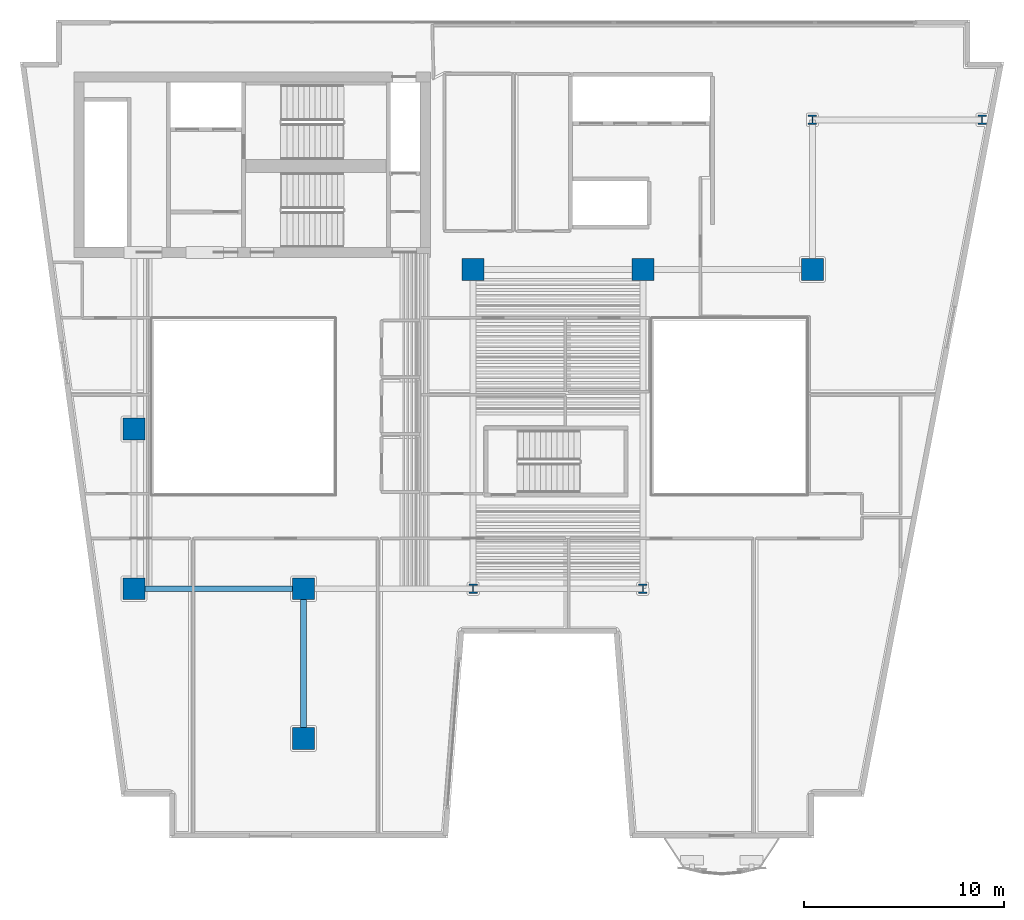
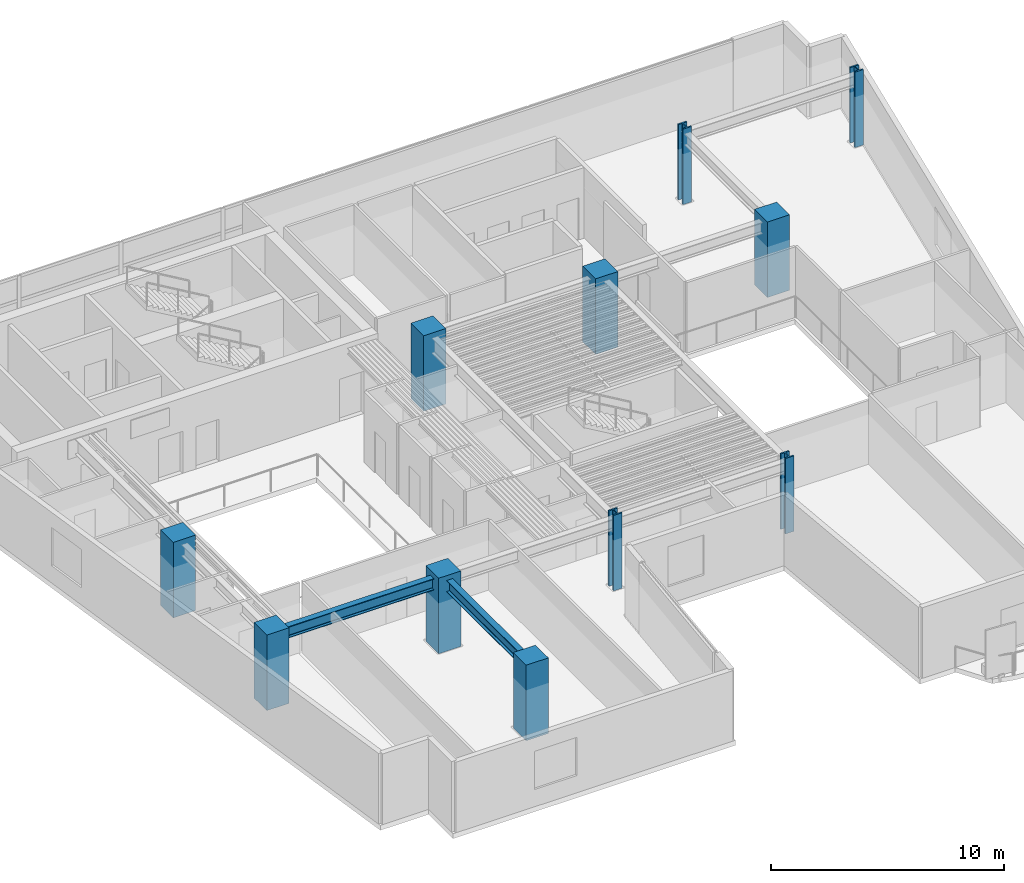
# One storey, part 1 of 13: 11 columns, 2 beams.
"""IFC4 building model written with IfcOpenShell, lengths in metres."""

from ifc_helpers import new_model, si_unit, direction, frame, origin, origin_2d, place, context, subcontext, project, spatial, rectangle, i_section, extrude, material, material_profile, profile_set, type_object, element, save


model = new_model("IFC4")

# Units and contexts
model_context = context("Model", 3, precision=1e-05, world=origin(), true_north=direction((0.0, 1.0)))
body_context = subcontext(model_context, "Body", "Model", "MODEL_VIEW")
ifc_project = project(units=[si_unit("LENGTHUNIT", "METRE"), si_unit("AREAUNIT", "SQUARE_METRE"), si_unit("VOLUMEUNIT", "CUBIC_METRE"), si_unit("PLANEANGLEUNIT", "RADIAN"), si_unit("MASSUNIT", "GRAM", prefix="KILO")], contexts=[model_context])

# Site, building, storey
site_placement = place(None, origin())
site = spatial("IfcSite", under=ifc_project, at=site_placement, CompositionType="ELEMENT")
building_placement = place(site_placement, origin())
building = spatial("IfcBuilding", under=site, at=building_placement, Name="Caeloran Harvest Quay", CompositionType="ELEMENT")
storey_placement = place(building_placement, frame((0.0, 0.0, 162.75)))
storey = spatial("IfcBuildingStorey", under=building, at=storey_placement, Name="L38", CompositionType="ELEMENT", Elevation=162.75)

# Columns
ifc_material_1 = material(Name="Concrete C70/85", Category="concrete")
ifc_material_profile_1 = material_profile(ifc_material_1, rectangle(XDim=1.10009765625, YDim=1.10009765625, at=origin_2d()), Name="RC 1100x1100")
ifc_profile_set_1 = profile_set([ifc_material_profile_1], Name="Concrete C70/85")
column_type_1 = type_object("IfcColumnType", Name="COL-MC-3-RC_1100x1100", PredefinedType="COLUMN", material=ifc_profile_set_1)
for number, where, z_axis, x_axis, name in (
    (1, (8.5, 15.0, 0.0), (0.0, 0.0, 1.0), (1.0, 0.0, 0.0), "L38 Structural Column (8.5, 15.0)"),
    (2, (8.5, 23.0, 0.0), (0.0, 0.0, 1.0), (1.0, 0.0, 0.0), "L38 Structural Column (8.5, 23.0)"),
    (3, (17.0, 7.5, 0.0), (0.0, 0.0, 1.0), (1.0, 0.0, 0.0), "L38 Structural Column (17.0, 7.5)"),
    (4, (17.0, 15.0, 0.0), (0.0, 0.0, 1.0), (1.0, 0.0, 0.0), "L38 Structural Column (17.0, 15.0)"),
    (5, (25.5, 31.0, 0.0), (0.0, 0.0, 1.0), (1.0, 0.0, 0.0), "L38 Structural Column (25.5, 31.0)"),
    (6, (34.0, 31.0, 0.0), (0.0, 0.0, 1.0), (1.0, 0.0, 0.0), "L38 Structural Column (34.0, 31.0)"),
    (7, (42.5, 31.0, 0.0), (0.0, 0.0, 1.0), (1.0, 0.0, 0.0), "L38 Structural Column (42.5, 31.0)"),
):
    element("IfcColumn", number, at=place(storey_placement, frame(where, z_axis=z_axis, x_axis=x_axis)), inside=storey, type_object=column_type_1, Name=name, PredefinedType="COLUMN", context=body_context, shape_type="SweptSolid", body=[
        extrude(rectangle(XDim=1.10009765625, YDim=1.10009765625, at=origin_2d()), origin(), (0.0, 0.0, 1.0), 3.949951171875),
    ])
ifc_material_2 = material(Name="Steel HISTAR 460", Category="steel")
ifc_material_profile_2 = material_profile(ifc_material_2, i_section(OverallWidth=0.424072265625, OverallDepth=0.47412109375, WebThickness=0.047607421875, FlangeThickness=0.076904296875, FilletRadius=0.014892578125, at=origin_2d()), Name="HD 400x634")
ifc_profile_set_2 = profile_set([ifc_material_profile_2], Name="Steel HISTAR 460")
column_type_2 = type_object("IfcColumnType", Name="COL-SC-3-HD_400x634", PredefinedType="COLUMN", material=ifc_profile_set_2)
for number, where, z_axis, x_axis, name in (
    (8, (25.5, 15.0, 0.0), (0.0, 0.0, 1.0), (1.0, 0.0, 0.0), "L38 Structural Column (25.5, 15.0)"),
    (9, (34.0, 15.0, 0.0), (0.0, 0.0, 1.0), (1.0, 0.0, 0.0), "L38 Structural Column (34.0, 15.0)"),
    (10, (42.5, 38.5, 0.0), (0.0, 0.0, 1.0), (1.0, 0.0, 0.0), "L38 Structural Column (42.5, 38.5)"),
    (11, (51.0, 38.5, 0.0), (0.0, 0.0, 1.0), (1.0, 0.0, 0.0), "L38 Structural Column (51.0, 38.5)"),
):
    element("IfcColumn", number, at=place(storey_placement, frame(where, z_axis=z_axis, x_axis=x_axis)), inside=storey, type_object=column_type_2, Name=name, PredefinedType="COLUMN", context=body_context, shape_type="SweptSolid", body=[
        extrude(i_section(OverallWidth=0.424072265625, OverallDepth=0.47412109375, WebThickness=0.047607421875, FlangeThickness=0.076904296875, FilletRadius=0.014892578125, at=origin_2d()), origin(), (0.0, 0.0, 1.0), 3.949951171875),
    ])

# Beams
ifc_material_3 = material(Name="Steel S355J2", Category="steel")
ifc_material_profile_3 = material_profile(ifc_material_3, i_section(OverallWidth=0.300048828125, OverallDepth=0.60009765625, WebThickness=0.015380859375, FlangeThickness=0.030029296875, FilletRadius=0.027099609375, at=origin_2d()), Name="HE 600 B")
ifc_profile_set_3 = profile_set([ifc_material_profile_3], Name="Steel S355J2")
beam_type = type_object("IfcBeamType", Name="BM-PG-3-HE_600_B", PredefinedType="BEAM", material=ifc_profile_set_3)
beam_1_placement = place(storey_placement, frame((8.5, 15.0, 3.389892578125), z_axis=(1.0, 0.0, 0.0), x_axis=(0.0, 1.0, 0.0)))
element("IfcBeam", 12, at=beam_1_placement, inside=storey, type_object=beam_type, Name="L38 Primary East-West Girder Y=15.0", PredefinedType="BEAM", context=body_context, shape_type="SweptSolid", body=[
    extrude(i_section(OverallWidth=0.300048828125, OverallDepth=0.60009765625, WebThickness=0.015380859375, FlangeThickness=0.030029296875, FilletRadius=0.027099609375, at=origin_2d()), origin(), (0.0, 0.0, 1.0), 8.5),
])
beam_2_placement = place(storey_placement, frame((17.0, 7.5, 3.389892578125), z_axis=(0.0, 1.0, 0.0), x_axis=(-1.0, 0.0, 0.0)))
element("IfcBeam", 13, at=beam_2_placement, inside=storey, type_object=beam_type, Name="L38 Primary North-South Girder X=17.0", PredefinedType="BEAM", context=body_context, shape_type="SweptSolid", body=[
    extrude(i_section(OverallWidth=0.300048828125, OverallDepth=0.60009765625, WebThickness=0.015380859375, FlangeThickness=0.030029296875, FilletRadius=0.027099609375, at=origin_2d()), origin(), (0.0, 0.0, 1.0), 7.5),
])

save(model, "model.ifc")
